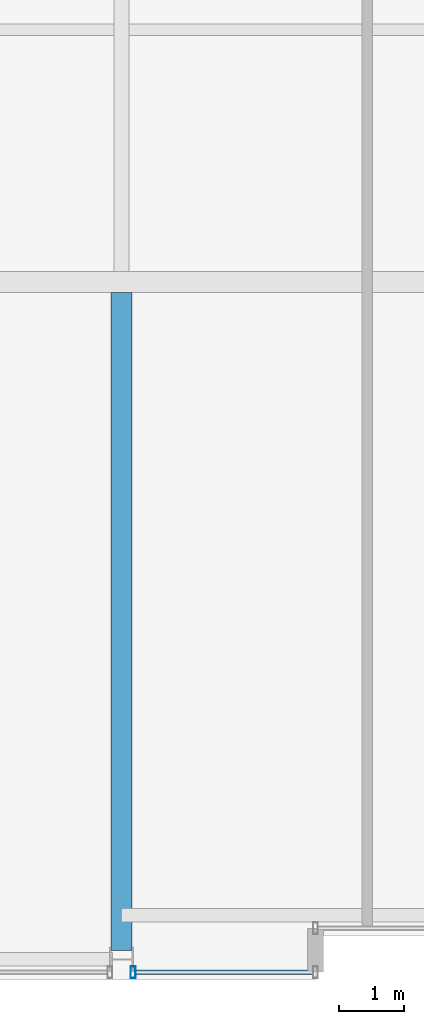
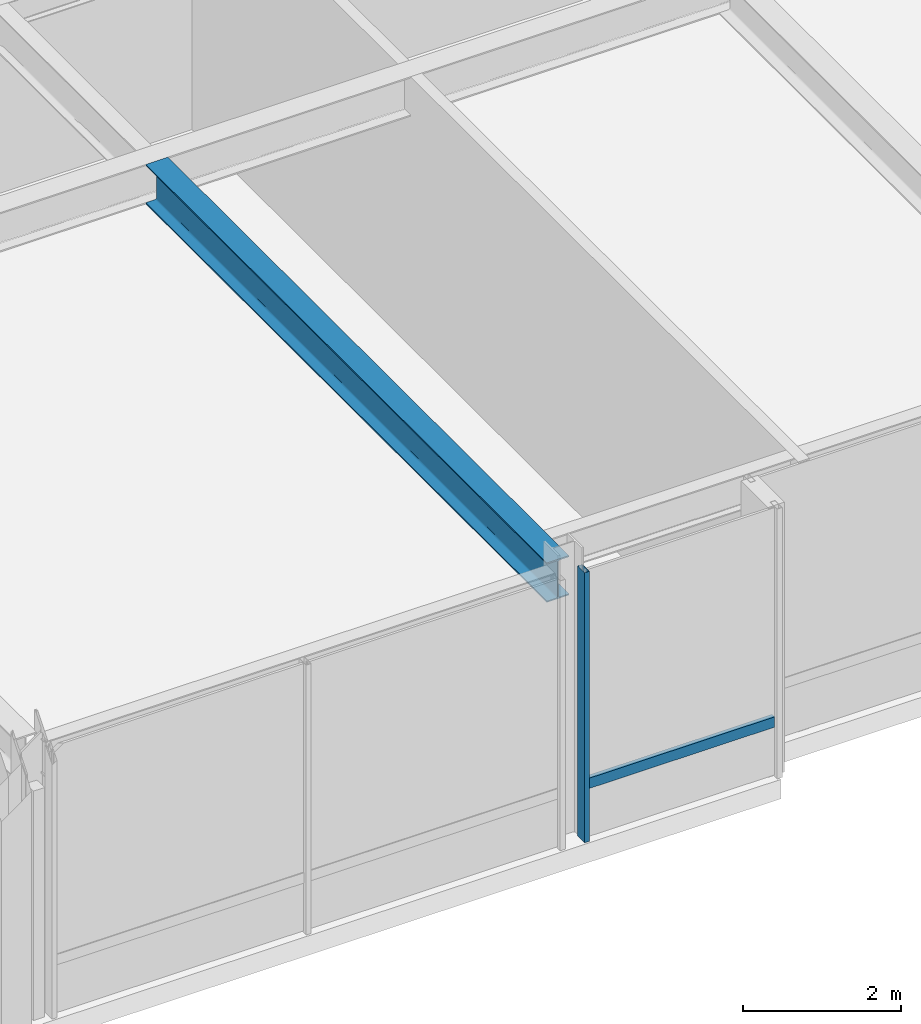
# One storey, part 4 of 32: 2 members, 1 beam, 1 element without a shape of its own.
"""IFC4 building model written with IfcOpenShell, lengths in metres."""

from ifc_helpers import new_model, si_unit, direction, frame, origin, origin_2d, place, context, subcontext, project, spatial, hollow_rectangle, i_section, extrude, material, layer, layer_set, material_profile, profile_set, type_object, element, aggregate, save


model = new_model("IFC4")

# Units and contexts
model_context = context("Model", 3, precision=1e-05, world=origin(), true_north=direction((0.0, 1.0)))
body_context = subcontext(model_context, "Body", "Model", "MODEL_VIEW")
ifc_project = project(units=[si_unit("LENGTHUNIT", "METRE"), si_unit("AREAUNIT", "SQUARE_METRE"), si_unit("VOLUMEUNIT", "CUBIC_METRE"), si_unit("PLANEANGLEUNIT", "RADIAN"), si_unit("MASSUNIT", "GRAM", prefix="KILO")], contexts=[model_context])

# Site, building, storey
site_placement = place(None, origin())
site = spatial("IfcSite", under=ifc_project, at=site_placement, CompositionType="ELEMENT")
building_placement = place(site_placement, origin())
building = spatial("IfcBuilding", under=site, at=building_placement, Name="Drelvath Grand Hotel", CompositionType="ELEMENT")
storey_placement = place(building_placement, frame((0.0, 0.0, 255.5)))
storey = spatial("IfcBuildingStorey", under=building, at=storey_placement, Name="L67", CompositionType="ELEMENT", Elevation=255.5)

# Curtain wall, members
ifc_material_1 = material(Name="Platinum-Mist Anodised Aluminium Frame", Category="aluminium")
ifc_layer = layer(ifc_material_1, 0.199951171875)
ifc_layer_set = layer_set([ifc_layer], Name="Platinum-Mist Anodised Aluminium Frame")
curtain_wall_type = type_object("IfcCurtainWallType", Name="Stick Curtain Wall CW-05 Platinum Mist High-Rise", PredefinedType="NOTDEFINED", material=ifc_layer_set)
curtain_wall_placement = place(storey_placement, origin())
curtain_wall = element("IfcCurtainWall", 1, at=curtain_wall_placement, inside=storey, type_object=curtain_wall_type, Name="L67 CW-05 Curtain Wall CW05-L67-SW3", PredefinedType="NOTDEFINED")
ifc_material_profile_1 = material_profile(ifc_material_1, hollow_rectangle(XDim=0.06494140625, YDim=0.159912109375, WallThickness=0.00390625, at=origin_2d()), Name="HSS160X65X4")
ifc_profile_set_1 = profile_set([ifc_material_profile_1], Name="Platinum-Mist Anodised Aluminium Frame")
member_type_1 = type_object("IfcMemberType", Name="Curtain Wall Horizontal Transom CW-05 HSS160X65X4", PredefinedType="USERDEFINED", material=ifc_profile_set_1)
member_1_placement = place(storey_placement, frame((-5.43994140625, 0.1201171875, 0.85009765625), z_axis=(-1.0, 0.0, 0.0), x_axis=(0.0, -1.0, 0.0)))
member_1 = element("IfcMember", 2, at=member_1_placement, type_object=member_type_1, Name="CW05-L67-SW3 Sill Transom", ObjectType="TRANSOM", PredefinedType="USERDEFINED", context=body_context, shape_type="SweptSolid", body=[
    extrude(hollow_rectangle(XDim=0.06494140625, YDim=0.159912109375, WallThickness=0.00390625, at=origin_2d()), origin(), (0.0, 0.0, 1.0), 2.741943359375),
])
ifc_material_profile_2 = material_profile(ifc_material_1, hollow_rectangle(XDim=0.074951171875, YDim=0.179931640625, WallThickness=0.0048828125, at=origin_2d()), Name="HSS180X75X5")
ifc_profile_set_2 = profile_set([ifc_material_profile_2], Name="Platinum-Mist Anodised Aluminium Frame")
member_type_2 = type_object("IfcMemberType", Name="Curtain Wall Vertical Mullion CW-05 HSS180X75X5", PredefinedType="MULLION", material=ifc_profile_set_2)
member_2_placement = place(storey_placement, frame((-8.2216796875, 0.1201171875, 0.0), z_axis=(0.0, 0.0, 1.0), x_axis=(1.0, 0.0, 0.0)))
member_2 = element("IfcMember", 3, at=member_2_placement, type_object=member_type_2, Name="CW05-L67-SW3 Mullion 2", PredefinedType="MULLION", context=body_context, shape_type="SweptSolid", body=[
    extrude(hollow_rectangle(XDim=0.074951171875, YDim=0.179931640625, WallThickness=0.0048828125, at=origin_2d()), origin(), (0.0, 0.0, 1.0), 4.179931640625),
])
aggregate(curtain_wall, [member_2, member_1])

# Beam
ifc_material_2 = material(Name="Steel ASTM A992 Gr 50", Category="steel")
ifc_material_profile_3 = material_profile(ifc_material_2, i_section(OverallWidth=0.323974609375, OverallDepth=0.611083984375, WebThickness=0.0126953125, FlangeThickness=0.01904296875, FilletRadius=0.02197265625, at=origin_2d()), Name="W24X104")
ifc_profile_set_3 = profile_set([ifc_material_profile_3], Name="Steel ASTM A992 Gr 50")
beam_type = type_object("IfcBeamType", Name="Primary Floor Girder W24X104", PredefinedType="BEAM", material=ifc_profile_set_3)
beam_placement = place(storey_placement, frame((-8.39990234375, 0.4599609375, 3.87451171875), z_axis=(0.0, 1.0, 0.0), x_axis=(-1.0, 0.0, 0.0)))
element("IfcBeam", 4, at=beam_placement, inside=storey, type_object=beam_type, Name="L67 South Wing Girder 4", PredefinedType="BEAM", context=body_context, shape_type="SweptSolid", body=[
    extrude(i_section(OverallWidth=0.323974609375, OverallDepth=0.611083984375, WebThickness=0.0126953125, FlangeThickness=0.01904296875, FilletRadius=0.02197265625, at=origin_2d()), origin(), (0.0, 0.0, 1.0), 10.177978515625),
])

save(model, "model.ifc")
